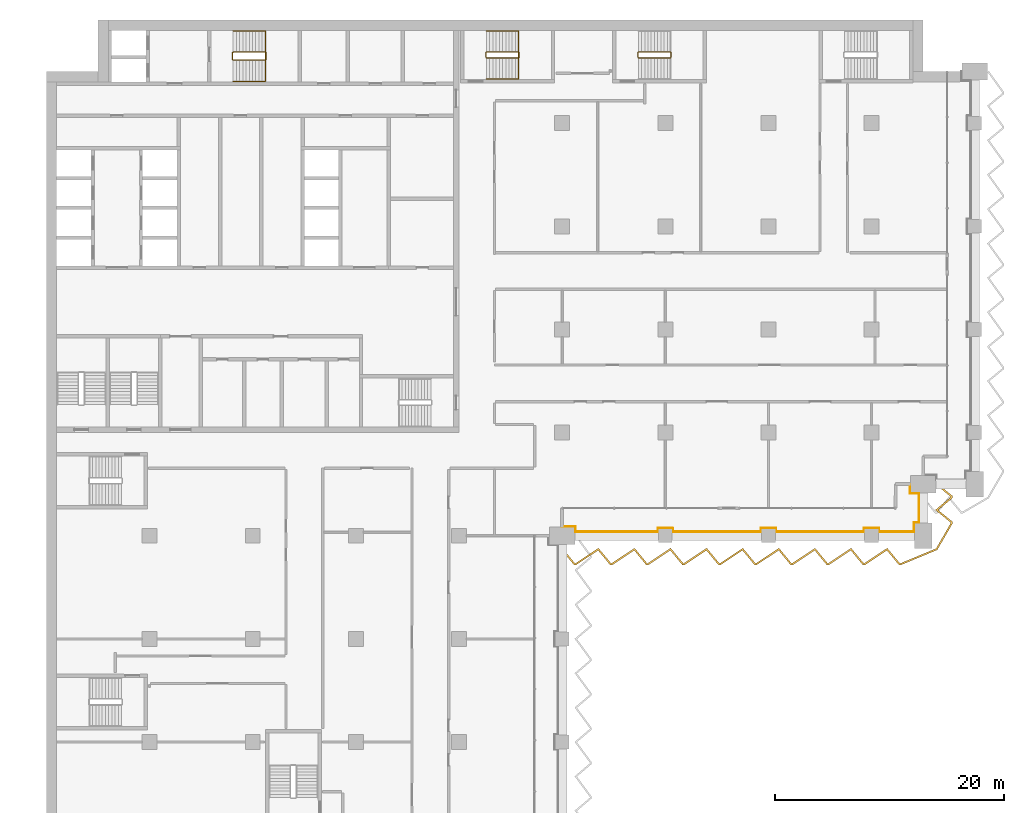
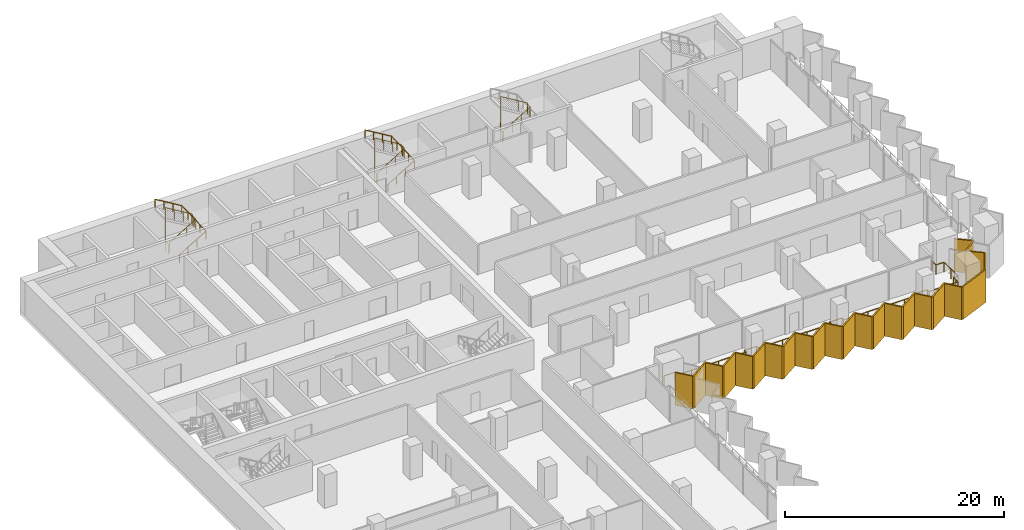
# One storey, part 22 of 23: 6 railings, 1 shading device.
"""IFC4 building model written with IfcOpenShell, lengths in metres."""

import ifcopenshell
import ifcopenshell.guid

model = None  # the IFC model being written
_history = None  # IfcOwnerHistory: only IFC2X3 demands one
_inside = {}  # id of a spatial element -> (the spatial element, [elements in it])
_under = {}  # id of a project, library or spatial element -> (it, [spatial elements below it])
_declared = {}  # id of a project -> (the project, [libraries it declares])
_typed = {}  # id of a type object -> (the type object, [elements of that type])
_made_of = {}  # id of a material, layer set ... -> (it, [elements and type objects made of it])


def new_model(schema):
    """Start an empty IFC model of exactly this schema.

    Asked for "IFC4X3", IfcOpenShell would pick the latest addendum, in which some entities
    have other attributes; the version numbers below select the first issue.
    IFC2X3 requires an IfcOwnerHistory on every rooted entity: one is made here for all.
    """
    global model, _history
    if schema == "IFC4X3":
        model = ifcopenshell.file(schema_version=(4, 3, 0, 0))
    else:
        model = ifcopenshell.file(schema=schema)
    _inside.clear()
    _under.clear()
    _declared.clear()
    _typed.clear()
    _made_of.clear()
    _history = None
    if model.schema == "IFC2X3":
        org = make("IfcOrganization", Name="unknown")
        user = make(
            "IfcPersonAndOrganization",
            ThePerson=make("IfcPerson", FamilyName="unknown"),
            TheOrganization=org,
        )
        app = make(
            "IfcApplication",
            ApplicationDeveloper=org,
            Version="unknown",
            ApplicationFullName="unknown",
            ApplicationIdentifier="unknown",
        )
        _history = make(
            "IfcOwnerHistory",
            OwningUser=user,
            OwningApplication=app,
            ChangeAction="ADDED",
            CreationDate=0,
        )
    return model


def make(cls, **values):
    """One entity of the class cls with the attributes given. An attribute that is None is left unset."""
    return model.create_entity(
        cls, **{name: value for name, value in values.items() if value is not None}
    )


def rooted(cls, **values):
    """An entity with a GlobalId (a new one), such as an element, a storey or a relation."""
    return make(cls, GlobalId=ifcopenshell.guid.new(), OwnerHistory=_history, **values)


def si_unit(unit_type, name, prefix=None):
    """IfcSIUnit, for example si_unit("LENGTHUNIT", "METRE", prefix="MILLI")."""
    return make("IfcSIUnit", UnitType=unit_type, Prefix=prefix, Name=name)


def assignment(units):
    """IfcUnitAssignment: the units of a project."""
    return None if units is None else make("IfcUnitAssignment", Units=units)


def point(xyz):
    """IfcCartesianPoint."""
    return None if xyz is None else make("IfcCartesianPoint", Coordinates=xyz)


def direction(xyz):
    """IfcDirection."""
    return None if xyz is None else make("IfcDirection", DirectionRatios=xyz)


def frame(location, z_axis=None, x_axis=None):
    """IfcAxis2Placement3D, a coordinate frame: its origin and axes. An axis left out is left unset."""
    return make(
        "IfcAxis2Placement3D",
        Location=point(location),
        Axis=direction(z_axis),
        RefDirection=direction(x_axis),
    )


def frame_2d(location, x_axis=None):
    """IfcAxis2Placement2D, a coordinate frame in the plane: its origin and x axis."""
    return make(
        "IfcAxis2Placement2D", Location=point(location), RefDirection=direction(x_axis)
    )


def origin():
    """The frame at (0, 0, 0) with its axes left unset."""
    return frame((0.0, 0.0, 0.0))


def origin_2d():
    """The frame at (0, 0) in the plane with its x axis left unset."""
    return frame_2d((0.0, 0.0))


def place(relative_to, where):
    """IfcLocalPlacement: puts the frame where relative to a parent placement (None: the world)."""
    return make(
        "IfcLocalPlacement", PlacementRelTo=relative_to, RelativePlacement=where
    )


def context(
    kind, dimensions, precision=None, world=None, true_north=None, identifier=None
):
    """IfcGeometricRepresentationContext, for example the 3D "Model" context."""
    return make(
        "IfcGeometricRepresentationContext",
        ContextIdentifier=identifier,
        ContextType=kind,
        CoordinateSpaceDimension=dimensions,
        Precision=precision,
        WorldCoordinateSystem=world,
        TrueNorth=true_north,
    )


def subcontext(parent, identifier, kind, view, scale=None):
    """IfcGeometricRepresentationSubContext, for example "Body" below "Model"."""
    return make(
        "IfcGeometricRepresentationSubContext",
        ContextIdentifier=identifier,
        ContextType=kind,
        ParentContext=parent,
        TargetScale=scale,
        TargetView=view,
    )


def project(units=None, contexts=None):
    """IfcProject with its units and contexts."""
    return rooted(
        "IfcProject",
        Name="project",
        RepresentationContexts=contexts,
        UnitsInContext=assignment(units),
    )


def spatial(cls, under=None, at=None, **own):
    """A site, building, storey or space (cls), placed at a placement, below another one or the project."""
    s = rooted(cls, ObjectPlacement=at, **own)
    if under is not None:
        _under.setdefault(under.id(), (under, []))[1].append(s)
    return s


def polyline(points):
    """IfcPolyline through the points."""
    return make("IfcPolyline", Points=[point(p) for p in points])


def profile(cls, at=None, kind="AREA", **sizes):
    """A parametric profile (cls). Its sizes go by their IFC names, for example OverallWidth=200.0."""
    return make(cls, ProfileType=kind, Position=at, **sizes)


def circle(**sizes):
    """IfcCircleProfileDef."""
    return profile("IfcCircleProfileDef", **sizes)


def outline(outer, holes=None, kind="AREA"):
    """IfcArbitraryClosedProfileDef: a profile drawn as a closed curve; with holes, ...WithVoids."""
    if holes is None:
        return make("IfcArbitraryClosedProfileDef", ProfileType=kind, OuterCurve=outer)
    return make(
        "IfcArbitraryProfileDefWithVoids",
        ProfileType=kind,
        OuterCurve=outer,
        InnerCurves=holes,
    )


def extrude(swept, where, along, depth):
    """IfcExtrudedAreaSolid: the profile swept, set in the frame where, extruded along a direction by depth."""
    return make(
        "IfcExtrudedAreaSolid",
        SweptArea=swept,
        Position=where,
        ExtrudedDirection=direction(along),
        Depth=depth,
    )


def shape(context_of_items, identifier, shape_type, items):
    """IfcShapeRepresentation: the items that make up one representation, for example the "Body"."""
    return make(
        "IfcShapeRepresentation",
        ContextOfItems=context_of_items,
        RepresentationIdentifier=identifier,
        RepresentationType=shape_type,
        Items=items,
    )


def material(Name=None, Category=None):
    """IfcMaterial."""
    return make("IfcMaterial", Name=Name, Category=Category)


def layer(
    of_material, thickness, ventilated=None, Name=None, Category=None, Priority=None
):
    """IfcMaterialLayer: one layer of a wall or slab, of a material (None: an air gap)."""
    return make(
        "IfcMaterialLayer",
        Material=of_material,
        LayerThickness=thickness,
        IsVentilated=ventilated,
        Name=Name,
        Category=Category,
        Priority=Priority,
    )


def layer_set(layers, Name=None):
    """IfcMaterialLayerSet."""
    return make("IfcMaterialLayerSet", MaterialLayers=layers, LayerSetName=Name)


def made_of(thing, what):
    """Note that an element or type object is made of a material, layer set ...; save() writes the relation."""
    if what is not None:
        _made_of.setdefault(what.id(), (what, []))[1].append(thing)
    return thing


def type_object(cls, material=None, **own):
    """A type object (cls), such as IfcWallType, which elements share."""
    return made_of(rooted(cls, **own), material)


def element(
    cls,
    number,
    at=None,
    inside=None,
    cuts=None,
    type_object=None,
    material=None,
    context=None,
    identifier="Body",
    shape_type=None,
    held_by="IfcProductDefinitionShape",
    body=None,
    shapes=None,
    **own,
):
    """One element of the class cls, such as IfcWall. Its Tag is "e" and its number.

    at: its placement. inside: the storey or other place that contains it. cuts: it is an
    opening in that element (IfcRelVoidsElement). A single representation is given by context,
    identifier, shape_type and body (its items); several are given by shapes. held_by: the class
    of the entity that holds the representations. save() writes the other relations.
    """
    e = rooted(cls, Tag="e%d" % number, ObjectPlacement=at, **own)
    if body is not None:
        shapes = [shape(context, identifier, shape_type, body)]
    if shapes is not None:
        e.Representation = make(held_by, Representations=shapes)
    if inside is not None:
        _inside.setdefault(inside.id(), (inside, []))[1].append(e)
    if cuts is not None:
        rooted(
            "IfcRelVoidsElement", RelatingBuildingElement=cuts, RelatedOpeningElement=e
        )
    if type_object is not None:
        _typed.setdefault(type_object.id(), (type_object, []))[1].append(e)
    return made_of(e, material)


def aggregate(whole, parts):
    """IfcRelAggregates: a whole, such as a stair, and the parts it consists of."""
    return rooted("IfcRelAggregates", RelatingObject=whole, RelatedObjects=parts)


def save(model, path):
    """Write the relations noted so far, then the file.

    IfcRelAggregates (storeys below a building ...), IfcRelContainedInSpatialStructure (elements
    in a storey), IfcRelDefinesByType, IfcRelAssociatesMaterial and IfcRelDeclares: one each for
    every whole, place, type object, material and project.
    """
    for whole, parts in _under.values():
        aggregate(whole, parts)
    for where, things in _inside.values():
        rooted(
            "IfcRelContainedInSpatialStructure",
            RelatedElements=things,
            RelatingStructure=where,
        )
    for kind, things in _typed.values():
        rooted("IfcRelDefinesByType", RelatedObjects=things, RelatingType=kind)
    for what, things in _made_of.values():
        rooted("IfcRelAssociatesMaterial", RelatedObjects=things, RelatingMaterial=what)
    for by, libraries in _declared.values():
        rooted("IfcRelDeclares", RelatingContext=by, RelatedDefinitions=libraries)
    model.write(path)


model = new_model("IFC4")

# Units and contexts
model_context = context("Model", 3, precision=1e-05, world=origin(), true_north=direction((0.0, 1.0)))
body_context = subcontext(model_context, "Body", "Model", "MODEL_VIEW")
ifc_project = project(units=[si_unit("LENGTHUNIT", "METRE"), si_unit("AREAUNIT", "SQUARE_METRE"), si_unit("VOLUMEUNIT", "CUBIC_METRE"), si_unit("PLANEANGLEUNIT", "RADIAN"), si_unit("MASSUNIT", "GRAM", prefix="KILO")], contexts=[model_context])

# Site, building, storey
site_placement = place(None, origin())
site = spatial("IfcSite", under=ifc_project, at=site_placement, CompositionType="ELEMENT")
building_placement = place(site_placement, origin())
building = spatial("IfcBuilding", under=site, at=building_placement, Name="Hunhe Ridgeline Campus", CompositionType="ELEMENT")
storey_placement = place(building_placement, frame((0.0, 0.0, 103.300048828125)))
storey = spatial("IfcBuildingStorey", under=building, at=storey_placement, Name="L25", CompositionType="ELEMENT", Elevation=103.300048828125)

# Railing
ifc_material_1 = material(Name="Steel Q355", Category="steel")
railing_type_1 = type_object("IfcRailingType", Name="Loggia guard 1100 Steel Q355", PredefinedType="GUARDRAIL", material=ifc_material_1)
railing_1_placement = place(storey_placement, frame((45.0, 54.820068359375, 0.0)))
element("IfcRailing", 1, at=railing_1_placement, inside=storey, type_object=railing_type_1, Name="Loggia guard 2", PredefinedType="GUARDRAIL", context=body_context, shape_type="SweptSolid", body=[
    extrude(circle(Radius=0.02392578125, at=origin_2d()), frame((0.0, 0.0, 1.076171875), z_axis=(1.0, 0.0, 0.0), x_axis=(0.0, 1.0, 0.0)), (0.0, 0.0, 1.0), 1.14990234375),
    extrude(circle(Radius=0.02392578125, at=origin_2d()), frame((1.14990234375, 0.0, 1.076171875), z_axis=(0.0, -1.0, 0.0), x_axis=(1.0, 0.0, 0.0)), (0.0, 0.0, 1.0), 0.469970703125),
    extrude(circle(Radius=0.02392578125, at=origin_2d()), frame((1.14990234375, -0.469970703125, 1.076171875), z_axis=(1.0, 0.0, 0.0), x_axis=(0.0, 1.0, 0.0)), (0.0, 0.0, 1.0), 7.2001953125),
    extrude(circle(Radius=0.02392578125, at=origin_2d()), frame((8.35009765625, -0.469970703125, 1.076171875), z_axis=(0.0, 1.0, 0.0), x_axis=(-1.0, 0.0, 0.0)), (0.0, 0.0, 1.0), 0.31982421875),
    extrude(circle(Radius=0.02392578125, at=origin_2d()), frame((8.35009765625, -0.150146484375, 1.076171875), z_axis=(1.0, 0.0, 0.0), x_axis=(0.0, 1.0, 0.0)), (0.0, 0.0, 1.0), 1.2998046875),
    extrude(circle(Radius=0.02392578125, at=origin_2d()), frame((9.64990234375, -0.150146484375, 1.076171875), z_axis=(0.0, -1.0, 0.0), x_axis=(1.0, 0.0, 0.0)), (0.0, 0.0, 1.0), 0.31982421875),
    extrude(circle(Radius=0.02392578125, at=origin_2d()), frame((9.64990234375, -0.469970703125, 1.076171875), z_axis=(1.0, 0.0, 0.0), x_axis=(0.0, 1.0, 0.0)), (0.0, 0.0, 1.0), 7.7001953125),
    extrude(circle(Radius=0.02392578125, at=origin_2d()), frame((17.35009765625, -0.469970703125, 1.076171875), z_axis=(0.0, 1.0, 0.0), x_axis=(-1.0, 0.0, 0.0)), (0.0, 0.0, 1.0), 0.31982421875),
    extrude(circle(Radius=0.02392578125, at=origin_2d()), frame((17.35009765625, -0.150146484375, 1.076171875), z_axis=(1.0, 0.0, 0.0), x_axis=(0.0, 1.0, 0.0)), (0.0, 0.0, 1.0), 1.2998046875),
    extrude(circle(Radius=0.02392578125, at=origin_2d()), frame((18.64990234375, -0.150146484375, 1.076171875), z_axis=(0.0, -1.0, 0.0), x_axis=(1.0, 0.0, 0.0)), (0.0, 0.0, 1.0), 0.31982421875),
    extrude(circle(Radius=0.02392578125, at=origin_2d()), frame((18.64990234375, -0.469970703125, 1.076171875), z_axis=(1.0, 0.0, 0.0), x_axis=(0.0, 1.0, 0.0)), (0.0, 0.0, 1.0), 7.7001953125),
    extrude(circle(Radius=0.02392578125, at=origin_2d()), frame((26.35009765625, -0.469970703125, 1.076171875), z_axis=(0.0, 1.0, 0.0), x_axis=(-1.0, 0.0, 0.0)), (0.0, 0.0, 1.0), 0.31982421875),
    extrude(circle(Radius=0.02392578125, at=origin_2d()), frame((26.35009765625, -0.150146484375, 1.076171875), z_axis=(1.0, 0.0, 0.0), x_axis=(0.0, 1.0, 0.0)), (0.0, 0.0, 1.0), 1.2998046875),
    extrude(circle(Radius=0.02392578125, at=origin_2d()), frame((27.64990234375, -0.150146484375, 1.076171875), z_axis=(0.0, -1.0, 0.0), x_axis=(1.0, 0.0, 0.0)), (0.0, 0.0, 1.0), 0.31982421875),
    extrude(circle(Radius=0.02392578125, at=origin_2d()), frame((27.64990234375, -0.469970703125, 1.076171875), z_axis=(1.0, 0.0, 0.0), x_axis=(0.0, 1.0, 0.0)), (0.0, 0.0, 1.0), 3.050048828125),
    extrude(circle(Radius=0.02392578125, at=origin_2d()), frame((30.699951171875, -0.469970703125, 1.076171875), z_axis=(0.0, 1.0, 0.0), x_axis=(-1.0, 0.0, 0.0)), (0.0, 0.0, 1.0), 0.81982421875),
    extrude(circle(Radius=0.02392578125, at=origin_2d()), frame((30.699951171875, 0.349853515625, 1.076171875), z_axis=(-0.057129153726, -0.99836679622, 0.0), x_axis=(0.99836679622, -0.057129153726, 0.0)), (0.0, 0.0, 1.0), 0.350341796875),
    extrude(circle(Radius=0.02392578125, at=origin_2d()), frame((30.679931640625, 0.0, 1.076171875), z_axis=(0.0, 1.0, 0.0), x_axis=(-1.0, 0.0, 0.0)), (0.0, 0.0, 1.0), 0.329833984375),
    extrude(circle(Radius=0.02392578125, at=origin_2d()), frame((30.679931640625, 0.329833984375, 1.076171875), z_axis=(1.0, 0.0, 0.0), x_axis=(0.0, 1.0, 0.0)), (0.0, 0.0, 1.0), 0.469970703125),
    extrude(circle(Radius=0.02392578125, at=origin_2d()), frame((31.14990234375, 0.329833984375, 1.076171875), z_axis=(0.0, 1.0, 0.0), x_axis=(-1.0, 0.0, 0.0)), (0.0, 0.0, 1.0), 2.550048828125),
    extrude(circle(Radius=0.02392578125, at=origin_2d()), frame((31.14990234375, 2.8798828125, 1.076171875), z_axis=(-1.0, 0.0, 0.0), x_axis=(0.0, -1.0, 0.0)), (0.0, 0.0, 1.0), 0.81982421875),
    extrude(circle(Radius=0.02392578125, at=origin_2d()), frame((30.330078125, 2.8798828125, 1.076171875), z_axis=(0.0, 1.0, 0.0), x_axis=(-1.0, 0.0, 0.0)), (0.0, 0.0, 1.0), 0.800048828125),
    extrude(circle(Radius=0.02099609375, at=origin_2d()), origin(), (0.0, 0.0, 1.0), 1.052001953125),
    extrude(circle(Radius=0.02099609375, at=origin_2d()), frame((1.14990234375, 0.0, 0.0)), (0.0, 0.0, 1.0), 1.052001953125),
    extrude(circle(Radius=0.02099609375, at=origin_2d()), frame((1.14990234375, -0.469970703125, 0.0)), (0.0, 0.0, 1.0), 1.052001953125),
    extrude(circle(Radius=0.02099609375, at=origin_2d()), frame((2.58984375, -0.469970703125, 0.0)), (0.0, 0.0, 1.0), 1.052001953125),
    extrude(circle(Radius=0.02099609375, at=origin_2d()), frame((4.030029296875, -0.469970703125, 0.0)), (0.0, 0.0, 1.0), 1.052001953125),
    extrude(circle(Radius=0.02099609375, at=origin_2d()), frame((5.469970703125, -0.469970703125, 0.0)), (0.0, 0.0, 1.0), 1.052001953125),
    extrude(circle(Radius=0.02099609375, at=origin_2d()), frame((6.91015625, -0.469970703125, 0.0)), (0.0, 0.0, 1.0), 1.052001953125),
    extrude(circle(Radius=0.02099609375, at=origin_2d()), frame((8.35009765625, -0.469970703125, 0.0)), (0.0, 0.0, 1.0), 1.052001953125),
    extrude(circle(Radius=0.02099609375, at=origin_2d()), frame((8.35009765625, -0.150146484375, 0.0)), (0.0, 0.0, 1.0), 1.052001953125),
    extrude(circle(Radius=0.02099609375, at=origin_2d()), frame((9.64990234375, -0.150146484375, 0.0)), (0.0, 0.0, 1.0), 1.052001953125),
    extrude(circle(Radius=0.02099609375, at=origin_2d()), frame((9.64990234375, -0.469970703125, 0.0)), (0.0, 0.0, 1.0), 1.052001953125),
    extrude(circle(Radius=0.02099609375, at=origin_2d()), frame((10.933349609375, -0.469970703125, 0.0)), (0.0, 0.0, 1.0), 1.052001953125),
    extrude(circle(Radius=0.02099609375, at=origin_2d()), frame((12.216552734375, -0.469970703125, 0.0)), (0.0, 0.0, 1.0), 1.052001953125),
    extrude(circle(Radius=0.02099609375, at=origin_2d()), frame((13.5, -0.469970703125, 0.0)), (0.0, 0.0, 1.0), 1.052001953125),
    extrude(circle(Radius=0.02099609375, at=origin_2d()), frame((14.783447265625, -0.469970703125, 0.0)), (0.0, 0.0, 1.0), 1.052001953125),
    extrude(circle(Radius=0.02099609375, at=origin_2d()), frame((16.066650390625, -0.469970703125, 0.0)), (0.0, 0.0, 1.0), 1.052001953125),
    extrude(circle(Radius=0.02099609375, at=origin_2d()), frame((17.35009765625, -0.469970703125, 0.0)), (0.0, 0.0, 1.0), 1.052001953125),
    extrude(circle(Radius=0.02099609375, at=origin_2d()), frame((17.35009765625, -0.150146484375, 0.0)), (0.0, 0.0, 1.0), 1.052001953125),
    extrude(circle(Radius=0.02099609375, at=origin_2d()), frame((18.64990234375, -0.150146484375, 0.0)), (0.0, 0.0, 1.0), 1.052001953125),
    extrude(circle(Radius=0.02099609375, at=origin_2d()), frame((18.64990234375, -0.469970703125, 0.0)), (0.0, 0.0, 1.0), 1.052001953125),
    extrude(circle(Radius=0.02099609375, at=origin_2d()), frame((19.933349609375, -0.469970703125, 0.0)), (0.0, 0.0, 1.0), 1.052001953125),
    extrude(circle(Radius=0.02099609375, at=origin_2d()), frame((21.216552734375, -0.469970703125, 0.0)), (0.0, 0.0, 1.0), 1.052001953125),
    extrude(circle(Radius=0.02099609375, at=origin_2d()), frame((22.5, -0.469970703125, 0.0)), (0.0, 0.0, 1.0), 1.052001953125),
    extrude(circle(Radius=0.02099609375, at=origin_2d()), frame((23.783447265625, -0.469970703125, 0.0)), (0.0, 0.0, 1.0), 1.052001953125),
    extrude(circle(Radius=0.02099609375, at=origin_2d()), frame((25.066650390625, -0.469970703125, 0.0)), (0.0, 0.0, 1.0), 1.052001953125),
    extrude(circle(Radius=0.02099609375, at=origin_2d()), frame((26.35009765625, -0.469970703125, 0.0)), (0.0, 0.0, 1.0), 1.052001953125),
    extrude(circle(Radius=0.02099609375, at=origin_2d()), frame((26.35009765625, -0.150146484375, 0.0)), (0.0, 0.0, 1.0), 1.052001953125),
    extrude(circle(Radius=0.02099609375, at=origin_2d()), frame((27.64990234375, -0.150146484375, 0.0)), (0.0, 0.0, 1.0), 1.052001953125),
    extrude(circle(Radius=0.02099609375, at=origin_2d()), frame((27.64990234375, -0.469970703125, 0.0)), (0.0, 0.0, 1.0), 1.052001953125),
    extrude(circle(Radius=0.02099609375, at=origin_2d()), frame((28.66650390625, -0.469970703125, 0.0)), (0.0, 0.0, 1.0), 1.052001953125),
    extrude(circle(Radius=0.02099609375, at=origin_2d()), frame((29.683349609375, -0.469970703125, 0.0)), (0.0, 0.0, 1.0), 1.052001953125),
    extrude(circle(Radius=0.02099609375, at=origin_2d()), frame((30.699951171875, -0.469970703125, 0.0)), (0.0, 0.0, 1.0), 1.052001953125),
    extrude(circle(Radius=0.02099609375, at=origin_2d()), frame((30.699951171875, 0.349853515625, 0.0)), (0.0, 0.0, 1.0), 1.052001953125),
    extrude(circle(Radius=0.02099609375, at=origin_2d()), frame((30.679931640625, 0.0, 0.0)), (0.0, 0.0, 1.0), 1.052001953125),
    extrude(circle(Radius=0.02099609375, at=origin_2d()), frame((30.679931640625, 0.329833984375, 0.0)), (0.0, 0.0, 1.0), 1.052001953125),
    extrude(circle(Radius=0.02099609375, at=origin_2d()), frame((31.14990234375, 0.329833984375, 0.0)), (0.0, 0.0, 1.0), 1.052001953125),
    extrude(circle(Radius=0.02099609375, at=origin_2d()), frame((31.14990234375, 1.60498046875, 0.0)), (0.0, 0.0, 1.0), 1.052001953125),
    extrude(circle(Radius=0.02099609375, at=origin_2d()), frame((31.14990234375, 2.8798828125, 0.0)), (0.0, 0.0, 1.0), 1.052001953125),
    extrude(circle(Radius=0.02099609375, at=origin_2d()), frame((30.330078125, 2.8798828125, 0.0)), (0.0, 0.0, 1.0), 1.052001953125),
    extrude(circle(Radius=0.02099609375, at=origin_2d()), frame((30.330078125, 3.679931640625, 0.0)), (0.0, 0.0, 1.0), 1.052001953125),
])

# Shading device
ifc_material_2 = material(Name="Concrete C50", Category="concrete")
ifc_layer = layer(ifc_material_2, 0.14990234375)
ifc_layer_set = layer_set([ifc_layer], Name="Sawtooth concrete fin 150 Concrete C50")
shading_device_type = type_object("IfcShadingDeviceType", Name="Sawtooth concrete fin 150 Concrete C50", PredefinedType="USERDEFINED", material=ifc_layer_set)
shading_device_placement = place(storey_placement, frame((0.0, 0.0, -0.949951171875)))
element("IfcShadingDevice", 2, at=shading_device_placement, inside=storey, type_object=shading_device_type, Name="Concrete fin screen 2", ObjectType="FIN", PredefinedType="USERDEFINED", context=body_context, shape_type="SweptSolid", body=[
    extrude(outline(polyline([(45.057861328125, 52.872802734375), (44.942138671875, 52.77734375), (46.037353515625, 51.449951171875), (46.21533203125, 51.449951171875), (48.13525390625, 52.72509765625), (49.187255859375, 51.449951171875), (49.365234375, 51.449951171875), (51.28515625, 52.72509765625), (52.337158203125, 51.449951171875), (52.51513671875, 51.449951171875), (54.43505859375, 52.72509765625), (55.4873046875, 51.449951171875), (55.665283203125, 51.449951171875), (57.585205078125, 52.72509765625), (58.63720703125, 51.449951171875), (58.815185546875, 51.449951171875), (60.735107421875, 52.72509765625), (61.787353515625, 51.449951171875), (61.96533203125, 51.449951171875), (63.88525390625, 52.72509765625), (64.937255859375, 51.449951171875), (65.115234375, 51.449951171875), (67.03515625, 52.72509765625), (68.087158203125, 51.449951171875), (68.26513671875, 51.449951171875), (70.18505859375, 52.72509765625), (71.2373046875, 51.449951171875), (71.415283203125, 51.449951171875), (73.335205078125, 52.72509765625), (74.38720703125, 51.449951171875), (74.5576171875, 51.449951171875), (77.727294921875, 52.765380859375), (79.050048828125, 55.052490234375), (79.050048828125, 55.228271484375), (77.79345703125, 56.25048828125), (79.050048828125, 57.287353515625), (79.050048828125, 57.478271484375), (77.722412109375, 58.55810546875), (77.627685546875, 58.44189453125), (78.89990234375, 57.406982421875), (78.89990234375, 57.35791015625), (77.556640625, 56.24951171875), (78.89990234375, 55.156982421875), (78.89990234375, 55.0927734375), (77.622802734375, 52.884521484375), (74.527587890625, 51.60009765625), (74.4580078125, 51.60009765625), (73.36474609375, 52.9248046875), (71.369873046875, 51.60009765625), (71.307861328125, 51.60009765625), (70.21484375, 52.9248046875), (68.219970703125, 51.60009765625), (68.157958984375, 51.60009765625), (67.06494140625, 52.9248046875), (65.070068359375, 51.60009765625), (65.008056640625, 51.60009765625), (63.914794921875, 52.9248046875), (61.919921875, 51.60009765625), (61.85791015625, 51.60009765625), (60.764892578125, 52.9248046875), (58.77001953125, 51.60009765625), (58.7080078125, 51.60009765625), (57.61474609375, 52.9248046875), (55.619873046875, 51.60009765625), (55.557861328125, 51.60009765625), (54.46484375, 52.9248046875), (52.469970703125, 51.60009765625), (52.407958984375, 51.60009765625), (51.31494140625, 52.9248046875), (49.320068359375, 51.60009765625), (49.258056640625, 51.60009765625), (48.164794921875, 52.9248046875), (46.169921875, 51.60009765625), (46.10791015625, 51.60009765625), (45.057861328125, 52.872802734375)])), origin(), (0.0, 0.0, 1.0), 3.64990234375),
])

# Railings
ifc_material_3 = material(Name="Stainless steel balustrade", Category="steel")
railing_type_2 = type_object("IfcRailingType", Name="Stair guard 1100 stainless", PredefinedType="GUARDRAIL", material=ifc_material_3)
railing_2_placement = place(storey_placement, frame((16.300048828125, 95.5, 0.168212890625)))
element("IfcRailing", 3, at=railing_2_placement, inside=storey, type_object=railing_type_2, Name="L25 stair S1 guard", PredefinedType="GUARDRAIL", context=body_context, shape_type="SweptSolid", body=[
    extrude(circle(Radius=0.02392578125, at=origin_2d()), frame((0.0, 0.0, 1.076171875), z_axis=(0.857275202839, 0.0, 0.514858452973), x_axis=(0.0, 1.0, 0.0)), (0.0, 0.0, 1.0), 3.26611328125),
    extrude(circle(Radius=0.02392578125, at=origin_2d()), frame((2.800048828125, 0.0, 2.7578125), z_axis=(0.705375805398, 0.708833529934, 0.0), x_axis=(-0.708833529934, 0.705375805398, 0.0)), (0.0, 0.0, 1.0), 0.070556640625),
    extrude(circle(Radius=0.02392578125, at=origin_2d()), frame((2.849853515625, 0.050048828125, 2.7578125), z_axis=(0.0, 1.0, 0.0), x_axis=(-1.0, 0.0, 0.0)), (0.0, 0.0, 1.0), 0.599853515625),
    extrude(circle(Radius=0.02392578125, at=origin_2d()), frame((2.849853515625, 0.64990234375, 2.7578125), z_axis=(-0.273006030465, 0.27434429532, 0.922064485248), x_axis=(-0.708833529934, -0.705375805398, 0.0)), (0.0, 0.0, 1.0), 0.182373046875),
    extrude(circle(Radius=0.02392578125, at=origin_2d()), frame((2.800048828125, 0.699951171875, 2.92578125), z_axis=(-0.857242210791, 0.0, 0.514913383045), x_axis=(0.0, -1.0, 0.0)), (0.0, 0.0, 1.0), 3.266357421875),
    extrude(circle(Radius=0.02392578125, at=origin_2d()), frame((0.0, 0.699951171875, 4.60791015625), z_axis=(-0.013524414389, -0.013524414389, -0.999817073484), x_axis=(0.707106781187, -0.707106781187, 0.0)), (0.0, 0.0, 1.0), 3.70068359375),
    extrude(circle(Radius=0.02392578125, at=origin_2d()), frame((-0.050048828125, 0.64990234375, 0.90771484375), z_axis=(0.0, -1.0, 0.0), x_axis=(1.0, 0.0, 0.0)), (0.0, 0.0, 1.0), 0.599853515625),
    extrude(circle(Radius=0.02099609375, at=origin_2d()), origin(), (0.0, 0.0, 1.0), 1.052001953125),
    extrude(circle(Radius=0.02099609375, at=origin_2d()), frame((0.933349609375, 0.0, 0.560546875)), (0.0, 0.0, 1.0), 1.052001953125),
    extrude(circle(Radius=0.02099609375, at=origin_2d()), frame((1.86669921875, 0.0, 1.12109375)), (0.0, 0.0, 1.0), 1.052001953125),
    extrude(circle(Radius=0.02099609375, at=origin_2d()), frame((2.800048828125, 0.0, 1.681640625)), (0.0, 0.0, 1.0), 1.052001953125),
    extrude(circle(Radius=0.02099609375, at=origin_2d()), frame((2.849853515625, 0.050048828125, 1.681640625)), (0.0, 0.0, 1.0), 1.052001953125),
    extrude(circle(Radius=0.02099609375, at=origin_2d()), frame((2.849853515625, 0.64990234375, 1.681640625)), (0.0, 0.0, 1.0), 1.052001953125),
    extrude(circle(Radius=0.02099609375, at=origin_2d()), frame((2.800048828125, 0.699951171875, 1.849853515625)), (0.0, 0.0, 1.0), 1.052001953125),
    extrude(circle(Radius=0.02099609375, at=origin_2d()), frame((1.86669921875, 0.699951171875, 2.410400390625)), (0.0, 0.0, 1.0), 1.052001953125),
    extrude(circle(Radius=0.02099609375, at=origin_2d()), frame((0.933349609375, 0.699951171875, 2.97119140625)), (0.0, 0.0, 1.0), 1.052001953125),
    extrude(circle(Radius=0.02099609375, at=origin_2d()), frame((0.0, 0.699951171875, 3.53173828125)), (0.0, 0.0, 1.0), 1.052001953125),
    extrude(circle(Radius=0.02099609375, at=origin_2d()), frame((-0.012451171875, 0.6875, 2.606689453125)), (0.0, 0.0, 1.0), 1.052001953125),
    extrude(circle(Radius=0.02099609375, at=origin_2d()), frame((-0.02490234375, 0.6748046875, 1.681640625)), (0.0, 0.0, 1.0), 1.052001953125),
    extrude(circle(Radius=0.02099609375, at=origin_2d()), frame((-0.03759765625, 0.662353515625, 0.7568359375)), (0.0, 0.0, 1.0), 1.052001953125),
    extrude(circle(Radius=0.02099609375, at=origin_2d()), frame((-0.050048828125, 0.64990234375, -0.168212890625)), (0.0, 0.0, 1.0), 1.052001953125),
    extrude(circle(Radius=0.02099609375, at=origin_2d()), frame((-0.050048828125, 0.050048828125, -0.168212890625)), (0.0, 0.0, 1.0), 1.052001953125),
])
railing_3_placement = place(storey_placement, frame((38.39990234375, 95.699951171875, 0.168212890625)))
element("IfcRailing", 4, at=railing_3_placement, inside=storey, type_object=railing_type_2, Name="L25 stair E1 guard", PredefinedType="GUARDRAIL", context=body_context, shape_type="SweptSolid", body=[
    extrude(circle(Radius=0.02392578125, at=origin_2d()), frame((0.0, 0.0, 1.076171875), z_axis=(0.857275202839, 0.0, 0.514858452973), x_axis=(0.0, 1.0, 0.0)), (0.0, 0.0, 1.0), 3.26611328125),
    extrude(circle(Radius=0.02392578125, at=origin_2d()), frame((2.800048828125, 0.0, 2.7578125), z_axis=(0.707106781187, 0.707106781187, 0.0), x_axis=(-0.707106781187, 0.707106781187, 0.0)), (0.0, 0.0, 1.0), 0.07080078125),
    extrude(circle(Radius=0.02392578125, at=origin_2d()), frame((2.85009765625, 0.050048828125, 2.7578125), z_axis=(0.0, 1.0, 0.0), x_axis=(-1.0, 0.0, 0.0)), (0.0, 0.0, 1.0), 0.39990234375),
    extrude(circle(Radius=0.02392578125, at=origin_2d()), frame((2.85009765625, 0.449951171875, 2.7578125), z_axis=(-0.274243871929, 0.274243871929, 0.92172696468), x_axis=(-0.707106781187, -0.707106781187, 0.0)), (0.0, 0.0, 1.0), 0.1826171875),
    extrude(circle(Radius=0.02392578125, at=origin_2d()), frame((2.800048828125, 0.5, 2.92578125), z_axis=(-0.857242210791, 0.0, 0.514913383045), x_axis=(0.0, -1.0, 0.0)), (0.0, 0.0, 1.0), 3.266357421875),
    extrude(circle(Radius=0.02392578125, at=origin_2d()), frame((0.0, 0.5, 4.60791015625), z_axis=(-0.013458453615, -0.013524426427, -0.999817963389), x_axis=(0.708833529934, -0.705375805398, 0.0)), (0.0, 0.0, 1.0), 3.70068359375),
    extrude(circle(Radius=0.02392578125, at=origin_2d()), frame((-0.0498046875, 0.449951171875, 0.90771484375), z_axis=(0.0, -1.0, 0.0), x_axis=(1.0, 0.0, 0.0)), (0.0, 0.0, 1.0), 0.39990234375),
    extrude(circle(Radius=0.02099609375, at=origin_2d()), origin(), (0.0, 0.0, 1.0), 1.052001953125),
    extrude(circle(Radius=0.02099609375, at=origin_2d()), frame((0.933349609375, 0.0, 0.560546875)), (0.0, 0.0, 1.0), 1.052001953125),
    extrude(circle(Radius=0.02099609375, at=origin_2d()), frame((1.86669921875, 0.0, 1.12109375)), (0.0, 0.0, 1.0), 1.052001953125),
    extrude(circle(Radius=0.02099609375, at=origin_2d()), frame((2.800048828125, 0.0, 1.681640625)), (0.0, 0.0, 1.0), 1.052001953125),
    extrude(circle(Radius=0.02099609375, at=origin_2d()), frame((2.85009765625, 0.050048828125, 1.681640625)), (0.0, 0.0, 1.0), 1.052001953125),
    extrude(circle(Radius=0.02099609375, at=origin_2d()), frame((2.85009765625, 0.449951171875, 1.681640625)), (0.0, 0.0, 1.0), 1.052001953125),
    extrude(circle(Radius=0.02099609375, at=origin_2d()), frame((2.800048828125, 0.5, 1.849853515625)), (0.0, 0.0, 1.0), 1.052001953125),
    extrude(circle(Radius=0.02099609375, at=origin_2d()), frame((1.86669921875, 0.5, 2.410400390625)), (0.0, 0.0, 1.0), 1.052001953125),
    extrude(circle(Radius=0.02099609375, at=origin_2d()), frame((0.933349609375, 0.5, 2.97119140625)), (0.0, 0.0, 1.0), 1.052001953125),
    extrude(circle(Radius=0.02099609375, at=origin_2d()), frame((0.0, 0.5, 3.53173828125)), (0.0, 0.0, 1.0), 1.052001953125),
    extrude(circle(Radius=0.02099609375, at=origin_2d()), frame((-0.012451171875, 0.487548828125, 2.606689453125)), (0.0, 0.0, 1.0), 1.052001953125),
    extrude(circle(Radius=0.02099609375, at=origin_2d()), frame((-0.02490234375, 0.47509765625, 1.681640625)), (0.0, 0.0, 1.0), 1.052001953125),
    extrude(circle(Radius=0.02099609375, at=origin_2d()), frame((-0.037353515625, 0.46240234375, 0.7568359375)), (0.0, 0.0, 1.0), 1.052001953125),
    extrude(circle(Radius=0.02099609375, at=origin_2d()), frame((-0.0498046875, 0.449951171875, -0.168212890625)), (0.0, 0.0, 1.0), 1.052001953125),
    extrude(circle(Radius=0.02099609375, at=origin_2d()), frame((-0.0498046875, 0.050048828125, -0.168212890625)), (0.0, 0.0, 1.0), 1.052001953125),
])
railing_4_placement = place(storey_placement, frame((51.64990234375, 95.699951171875, 0.168212890625)))
element("IfcRailing", 5, at=railing_4_placement, inside=storey, type_object=railing_type_2, Name="L25 stair E2 guard", PredefinedType="GUARDRAIL", context=body_context, shape_type="SweptSolid", body=[
    extrude(circle(Radius=0.02392578125, at=origin_2d()), frame((0.0, 0.0, 1.076171875), z_axis=(0.857275202839, 0.0, 0.514858452973), x_axis=(0.0, 1.0, 0.0)), (0.0, 0.0, 1.0), 3.26611328125),
    extrude(circle(Radius=0.02392578125, at=origin_2d()), frame((2.800048828125, 0.0, 2.7578125), z_axis=(0.707106781187, 0.707106781187, 0.0), x_axis=(-0.707106781187, 0.707106781187, 0.0)), (0.0, 0.0, 1.0), 0.07080078125),
    extrude(circle(Radius=0.02392578125, at=origin_2d()), frame((2.85009765625, 0.050048828125, 2.7578125), z_axis=(0.0, 1.0, 0.0), x_axis=(-1.0, 0.0, 0.0)), (0.0, 0.0, 1.0), 0.39990234375),
    extrude(circle(Radius=0.02392578125, at=origin_2d()), frame((2.85009765625, 0.449951171875, 2.7578125), z_axis=(-0.274243871929, 0.274243871929, 0.92172696468), x_axis=(-0.707106781187, -0.707106781187, 0.0)), (0.0, 0.0, 1.0), 0.1826171875),
    extrude(circle(Radius=0.02392578125, at=origin_2d()), frame((2.800048828125, 0.5, 2.92578125), z_axis=(-0.857242210791, 0.0, 0.514913383045), x_axis=(0.0, -1.0, 0.0)), (0.0, 0.0, 1.0), 3.266357421875),
    extrude(circle(Radius=0.02392578125, at=origin_2d()), frame((0.0, 0.5, 4.60791015625), z_axis=(-0.013458453615, -0.013524426427, -0.999817963389), x_axis=(0.708833529934, -0.705375805398, 0.0)), (0.0, 0.0, 1.0), 3.70068359375),
    extrude(circle(Radius=0.02392578125, at=origin_2d()), frame((-0.0498046875, 0.449951171875, 0.90771484375), z_axis=(0.0, -1.0, 0.0), x_axis=(1.0, 0.0, 0.0)), (0.0, 0.0, 1.0), 0.39990234375),
    extrude(circle(Radius=0.02099609375, at=origin_2d()), origin(), (0.0, 0.0, 1.0), 1.052001953125),
    extrude(circle(Radius=0.02099609375, at=origin_2d()), frame((0.933349609375, 0.0, 0.560546875)), (0.0, 0.0, 1.0), 1.052001953125),
    extrude(circle(Radius=0.02099609375, at=origin_2d()), frame((1.86669921875, 0.0, 1.12109375)), (0.0, 0.0, 1.0), 1.052001953125),
    extrude(circle(Radius=0.02099609375, at=origin_2d()), frame((2.800048828125, 0.0, 1.681640625)), (0.0, 0.0, 1.0), 1.052001953125),
    extrude(circle(Radius=0.02099609375, at=origin_2d()), frame((2.85009765625, 0.050048828125, 1.681640625)), (0.0, 0.0, 1.0), 1.052001953125),
    extrude(circle(Radius=0.02099609375, at=origin_2d()), frame((2.85009765625, 0.449951171875, 1.681640625)), (0.0, 0.0, 1.0), 1.052001953125),
    extrude(circle(Radius=0.02099609375, at=origin_2d()), frame((2.800048828125, 0.5, 1.849853515625)), (0.0, 0.0, 1.0), 1.052001953125),
    extrude(circle(Radius=0.02099609375, at=origin_2d()), frame((1.86669921875, 0.5, 2.410400390625)), (0.0, 0.0, 1.0), 1.052001953125),
    extrude(circle(Radius=0.02099609375, at=origin_2d()), frame((0.933349609375, 0.5, 2.97119140625)), (0.0, 0.0, 1.0), 1.052001953125),
    extrude(circle(Radius=0.02099609375, at=origin_2d()), frame((0.0, 0.5, 3.53173828125)), (0.0, 0.0, 1.0), 1.052001953125),
    extrude(circle(Radius=0.02099609375, at=origin_2d()), frame((-0.012451171875, 0.487548828125, 2.606689453125)), (0.0, 0.0, 1.0), 1.052001953125),
    extrude(circle(Radius=0.02099609375, at=origin_2d()), frame((-0.02490234375, 0.47509765625, 1.681640625)), (0.0, 0.0, 1.0), 1.052001953125),
    extrude(circle(Radius=0.02099609375, at=origin_2d()), frame((-0.037353515625, 0.46240234375, 0.7568359375)), (0.0, 0.0, 1.0), 1.052001953125),
    extrude(circle(Radius=0.02099609375, at=origin_2d()), frame((-0.0498046875, 0.449951171875, -0.168212890625)), (0.0, 0.0, 1.0), 1.052001953125),
    extrude(circle(Radius=0.02099609375, at=origin_2d()), frame((-0.0498046875, 0.050048828125, -0.168212890625)), (0.0, 0.0, 1.0), 1.052001953125),
])
ifc_material_4 = material(Name="Stainless steel handrail", Category="steel")
railing_type_3 = type_object("IfcRailingType", Name="Stair handrail 900 stainless", PredefinedType="HANDRAIL", material=ifc_material_4)
railing_5_placement = place(storey_placement, frame((16.300048828125, 93.64990234375, 0.168212890625)))
element("IfcRailing", 6, at=railing_5_placement, inside=storey, type_object=railing_type_3, Name="L25 stair S1 handrail", PredefinedType="HANDRAIL", context=body_context, shape_type="SweptSolid", body=[
    extrude(circle(Radius=0.02392578125, at=origin_2d()), frame((0.0, 0.0, 0.8759765625), z_axis=(0.857275202839, 0.0, 0.514858452973), x_axis=(0.0, 1.0, 0.0)), (0.0, 0.0, 1.0), 3.26611328125),
    extrude(circle(Radius=0.02392578125, at=origin_2d()), frame((2.800048828125, 0.0, 2.5576171875), z_axis=(0.0, 0.999270074432, 0.038201025428), x_axis=(-1.0, 0.0, 0.0)), (0.0, 0.0, 1.0), 4.4033203125),
    extrude(circle(Radius=0.02392578125, at=origin_2d()), frame((2.800048828125, 4.400146484375, 2.7255859375), z_axis=(-0.857242210791, 0.0, 0.514913383045), x_axis=(0.0, -1.0, 0.0)), (0.0, 0.0, 1.0), 3.266357421875),
    extrude(circle(Radius=0.02099609375, at=origin_2d()), origin(), (0.0, 0.0, 1.0), 0.851806640625),
    extrude(circle(Radius=0.02099609375, at=origin_2d()), frame((0.933349609375, 0.0, 0.560546875)), (0.0, 0.0, 1.0), 0.851806640625),
    extrude(circle(Radius=0.02099609375, at=origin_2d()), frame((1.86669921875, 0.0, 1.12109375)), (0.0, 0.0, 1.0), 0.851806640625),
    extrude(circle(Radius=0.02099609375, at=origin_2d()), frame((2.800048828125, 0.0, 1.681640625)), (0.0, 0.0, 1.0), 0.851806640625),
    extrude(circle(Radius=0.02099609375, at=origin_2d()), frame((2.800048828125, 1.10009765625, 1.7236328125)), (0.0, 0.0, 1.0), 0.851806640625),
    extrude(circle(Radius=0.02099609375, at=origin_2d()), frame((2.800048828125, 2.2001953125, 1.765625)), (0.0, 0.0, 1.0), 0.851806640625),
    extrude(circle(Radius=0.02099609375, at=origin_2d()), frame((2.800048828125, 3.300048828125, 1.807861328125)), (0.0, 0.0, 1.0), 0.851806640625),
    extrude(circle(Radius=0.02099609375, at=origin_2d()), frame((2.800048828125, 4.400146484375, 1.849853515625)), (0.0, 0.0, 1.0), 0.851806640625),
    extrude(circle(Radius=0.02099609375, at=origin_2d()), frame((1.86669921875, 4.400146484375, 2.410400390625)), (0.0, 0.0, 1.0), 0.851806640625),
    extrude(circle(Radius=0.02099609375, at=origin_2d()), frame((0.933349609375, 4.400146484375, 2.97119140625)), (0.0, 0.0, 1.0), 0.851806640625),
    extrude(circle(Radius=0.02099609375, at=origin_2d()), frame((0.0, 4.400146484375, 3.53173828125)), (0.0, 0.0, 1.0), 0.851806640625),
])
railing_6_placement = place(storey_placement, frame((38.39990234375, 93.85009765625, 0.168212890625)))
element("IfcRailing", 7, at=railing_6_placement, inside=storey, type_object=railing_type_3, Name="L25 stair E1 handrail", PredefinedType="HANDRAIL", context=body_context, shape_type="SweptSolid", body=[
    extrude(circle(Radius=0.02392578125, at=origin_2d()), frame((0.0, 0.0, 0.8759765625), z_axis=(0.857275202839, 0.0, 0.514858452973), x_axis=(0.0, 1.0, 0.0)), (0.0, 0.0, 1.0), 3.26611328125),
    extrude(circle(Radius=0.02392578125, at=origin_2d()), frame((2.800048828125, 0.0, 2.5576171875), z_axis=(0.0, 0.999198916169, 0.040019069537), x_axis=(-1.0, 0.0, 0.0)), (0.0, 0.0, 1.0), 4.203369140625),
    extrude(circle(Radius=0.02392578125, at=origin_2d()), frame((2.800048828125, 4.199951171875, 2.7255859375), z_axis=(-0.857242210791, 0.0, 0.514913383045), x_axis=(0.0, -1.0, 0.0)), (0.0, 0.0, 1.0), 3.266357421875),
    extrude(circle(Radius=0.02099609375, at=origin_2d()), origin(), (0.0, 0.0, 1.0), 0.851806640625),
    extrude(circle(Radius=0.02099609375, at=origin_2d()), frame((0.933349609375, 0.0, 0.560546875)), (0.0, 0.0, 1.0), 0.851806640625),
    extrude(circle(Radius=0.02099609375, at=origin_2d()), frame((1.86669921875, 0.0, 1.12109375)), (0.0, 0.0, 1.0), 0.851806640625),
    extrude(circle(Radius=0.02099609375, at=origin_2d()), frame((2.800048828125, 0.0, 1.681640625)), (0.0, 0.0, 1.0), 0.851806640625),
    extrude(circle(Radius=0.02099609375, at=origin_2d()), frame((2.800048828125, 1.050048828125, 1.7236328125)), (0.0, 0.0, 1.0), 0.851806640625),
    extrude(circle(Radius=0.02099609375, at=origin_2d()), frame((2.800048828125, 2.10009765625, 1.765625)), (0.0, 0.0, 1.0), 0.851806640625),
    extrude(circle(Radius=0.02099609375, at=origin_2d()), frame((2.800048828125, 3.14990234375, 1.807861328125)), (0.0, 0.0, 1.0), 0.851806640625),
    extrude(circle(Radius=0.02099609375, at=origin_2d()), frame((2.800048828125, 4.199951171875, 1.849853515625)), (0.0, 0.0, 1.0), 0.851806640625),
    extrude(circle(Radius=0.02099609375, at=origin_2d()), frame((1.86669921875, 4.199951171875, 2.410400390625)), (0.0, 0.0, 1.0), 0.851806640625),
    extrude(circle(Radius=0.02099609375, at=origin_2d()), frame((0.933349609375, 4.199951171875, 2.97119140625)), (0.0, 0.0, 1.0), 0.851806640625),
    extrude(circle(Radius=0.02099609375, at=origin_2d()), frame((0.0, 4.199951171875, 3.53173828125)), (0.0, 0.0, 1.0), 0.851806640625),
])

save(model, "model.ifc")
